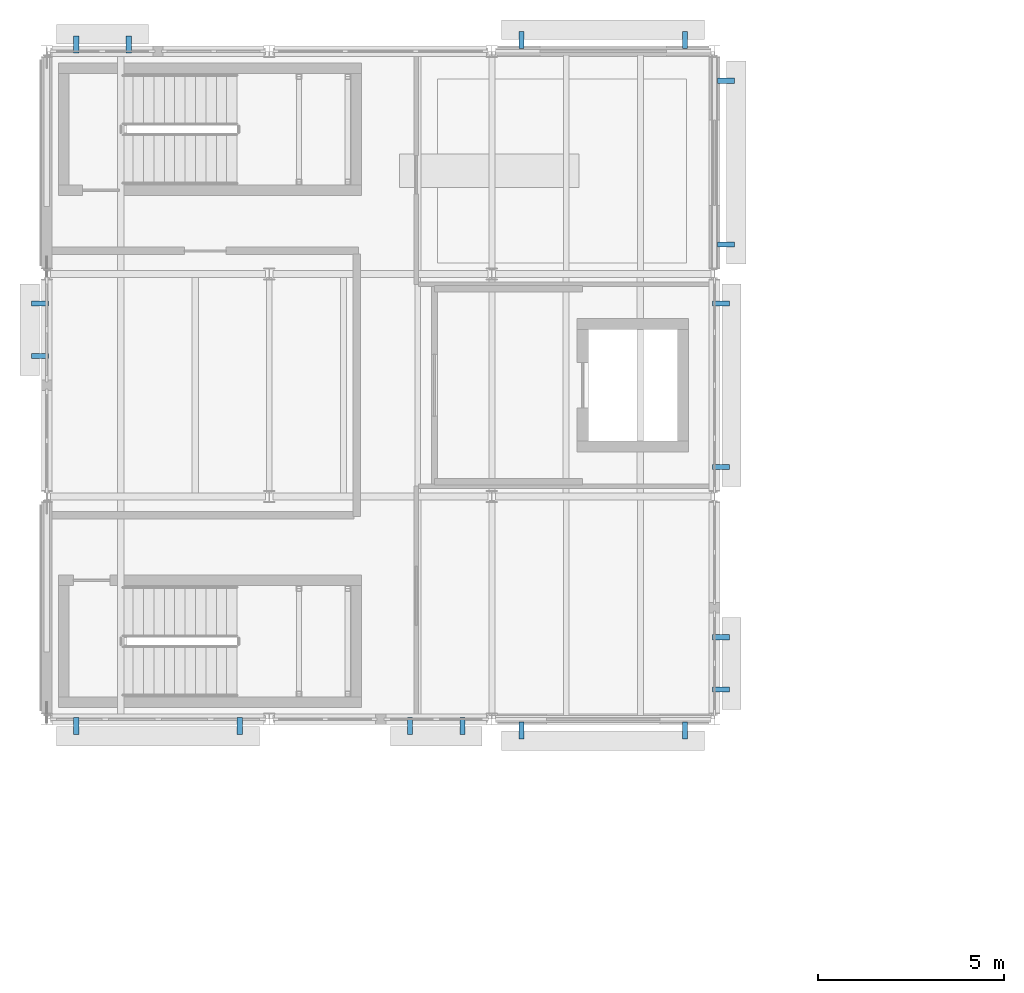
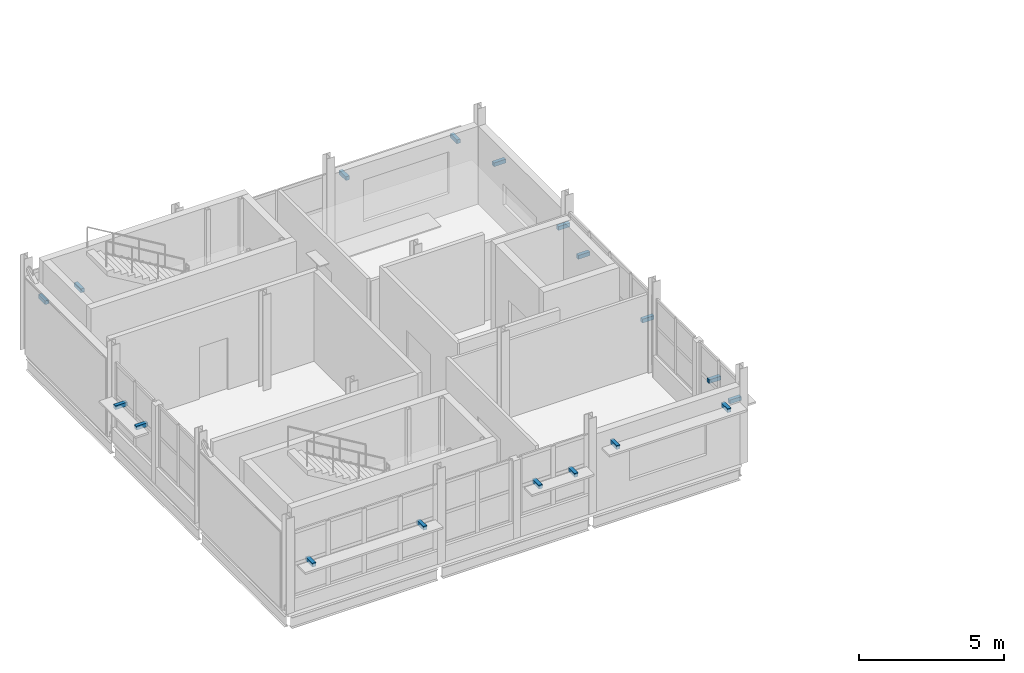
# One storey, part 21 of 23: 18 discrete accessories.
"""IFC4 building model written with IfcOpenShell, lengths in metres."""

from ifc_helpers import new_model, si_unit, direction, frame, origin, origin_2d, place, context, subcontext, project, spatial, rectangle, extrude, material, type_object, element, save


model = new_model("IFC4")

# Units and contexts
model_context = context("Model", 3, precision=1e-05, world=origin(), true_north=direction((0.0, 1.0)))
body_context = subcontext(model_context, "Body", "Model", "MODEL_VIEW")
ifc_project = project(units=[si_unit("LENGTHUNIT", "METRE"), si_unit("AREAUNIT", "SQUARE_METRE"), si_unit("VOLUMEUNIT", "CUBIC_METRE"), si_unit("PLANEANGLEUNIT", "RADIAN"), si_unit("MASSUNIT", "GRAM", prefix="KILO")], contexts=[model_context])

# Site, building, storey
site_placement = place(None, origin())
site = spatial("IfcSite", under=ifc_project, at=site_placement, CompositionType="ELEMENT")
building_placement = place(site_placement, origin())
building = spatial("IfcBuilding", under=site, at=building_placement, Name="Siltcreek Boulevard Central Fire Station", CompositionType="ELEMENT")
storey_placement = place(building_placement, frame((0.0, 0.0, 14.0)))
storey = spatial("IfcBuildingStorey", under=building, at=storey_placement, Name="L04", CompositionType="ELEMENT", Elevation=14.0)

# Discrete accessories
ifc_material = material(Name="Hot-dip galvanized steel facade outrigger bracket", Category="steel")
discrete_accessory_type = type_object("IfcDiscreteAccessoryType", Name="ACC_BRACKET", PredefinedType="BRACKET", material=ifc_material)
for number, where, z_axis, x_axis, name in (
    (1, (42.794921875, 94.02001953125, 1.83447265625), (0.0, 0.0, 1.0), (1.0, 0.0, 0.0), "Galvanized sunshade support bracket BK-079"),
    (2, (47.205078125, 94.02001953125, 1.83447265625), (0.0, 0.0, 1.0), (1.0, 0.0, 0.0), "Galvanized sunshade support bracket BK-080"),
    (3, (51.7900390625, 94.02001953125, 1.95458984375), (0.0, 0.0, 1.0), (1.0, 0.0, 0.0), "Galvanized sunshade support bracket BK-081"),
    (4, (53.205078125, 94.02001953125, 1.95458984375), (0.0, 0.0, 1.0), (1.0, 0.0, 0.0), "Galvanized sunshade support bracket BK-082"),
    (5, (54.794921875, 93.89501953125, 2.64013671875), (0.0, 0.0, 1.0), (1.0, 0.0, 0.0), "Galvanized sunshade support bracket BK-083"),
    (6, (59.205078125, 93.89501953125, 2.64013671875), (0.0, 0.0, 1.0), (1.0, 0.0, 0.0), "Galvanized sunshade support bracket BK-084"),
    (7, (44.2099609375, 112.3798828125, 1.71435546875), (0.0, 0.0, 1.0), (-1.0, 0.0, 0.0), "Galvanized sunshade support bracket BK-085"),
    (8, (42.794921875, 112.3798828125, 1.71435546875), (0.0, 0.0, 1.0), (-1.0, 0.0, 0.0), "Galvanized sunshade support bracket BK-086"),
    (9, (59.205078125, 112.5048828125, 2.64013671875), (0.0, 0.0, 1.0), (-1.0, 0.0, 0.0), "Galvanized sunshade support bracket BK-087"),
    (10, (54.794921875, 112.5048828125, 2.64013671875), (0.0, 0.0, 1.0), (-1.0, 0.0, 0.0), "Galvanized sunshade support bracket BK-088"),
    (11, (41.820068359375, 105.405029296875, 1.83642578125), (0.0, 0.0, 1.0), (0.0, -1.0, 0.0), "Galvanized sunshade support bracket BK-089"),
    (12, (41.820068359375, 103.989990234375, 1.83642578125), (0.0, 0.0, 1.0), (0.0, -1.0, 0.0), "Galvanized sunshade support bracket BK-090"),
    (13, (60.179931640625, 94.9951171875, 1.95654296875), (0.0, 0.0, 1.0), (0.0, 1.0, 0.0), "Galvanized sunshade support bracket BK-091"),
    (14, (60.179931640625, 96.409912109375, 1.95654296875), (0.0, 0.0, 1.0), (0.0, 1.0, 0.0), "Galvanized sunshade support bracket BK-092"),
    (15, (60.179931640625, 100.9951171875, 1.71630859375), (0.0, 0.0, 1.0), (0.0, 1.0, 0.0), "Galvanized sunshade support bracket BK-093"),
    (16, (60.179931640625, 105.405029296875, 1.71630859375), (0.0, 0.0, 1.0), (0.0, 1.0, 0.0), "Galvanized sunshade support bracket BK-094"),
    (17, (60.304931640625, 106.9951171875, 1.919921875), (0.0, 0.0, 1.0), (0.0, 1.0, 0.0), "Galvanized sunshade support bracket BK-095"),
    (18, (60.304931640625, 111.405029296875, 1.919921875), (0.0, 0.0, 1.0), (0.0, 1.0, 0.0), "Galvanized sunshade support bracket BK-096"),
):
    element("IfcDiscreteAccessory", number, at=place(storey_placement, frame(where, z_axis=z_axis, x_axis=x_axis)), inside=storey, type_object=discrete_accessory_type, Name=name, PredefinedType="BRACKET", context=body_context, shape_type="SweptSolid", body=[
        extrude(rectangle(XDim=0.139892578125, YDim=0.4599609375, at=origin_2d()), origin(), (0.0, 0.0, 1.0), 0.159912109375),
    ])

save(model, "model.ifc")
